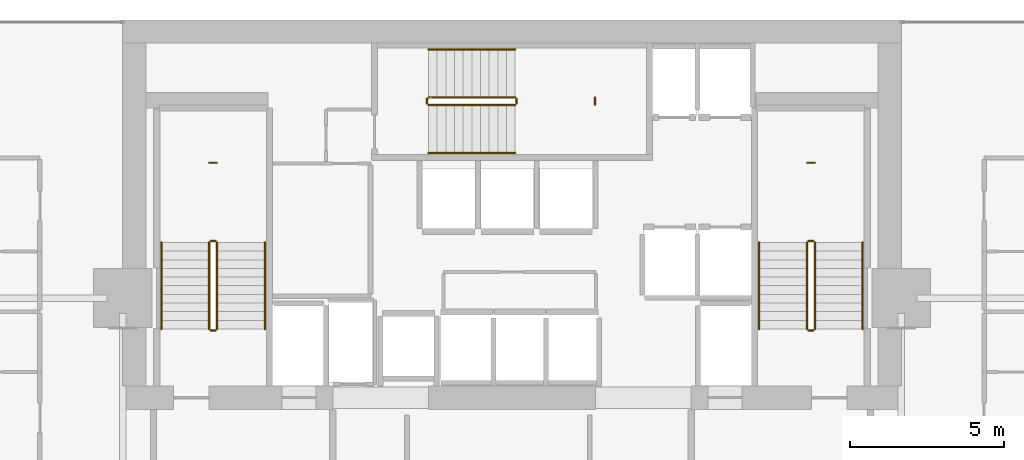
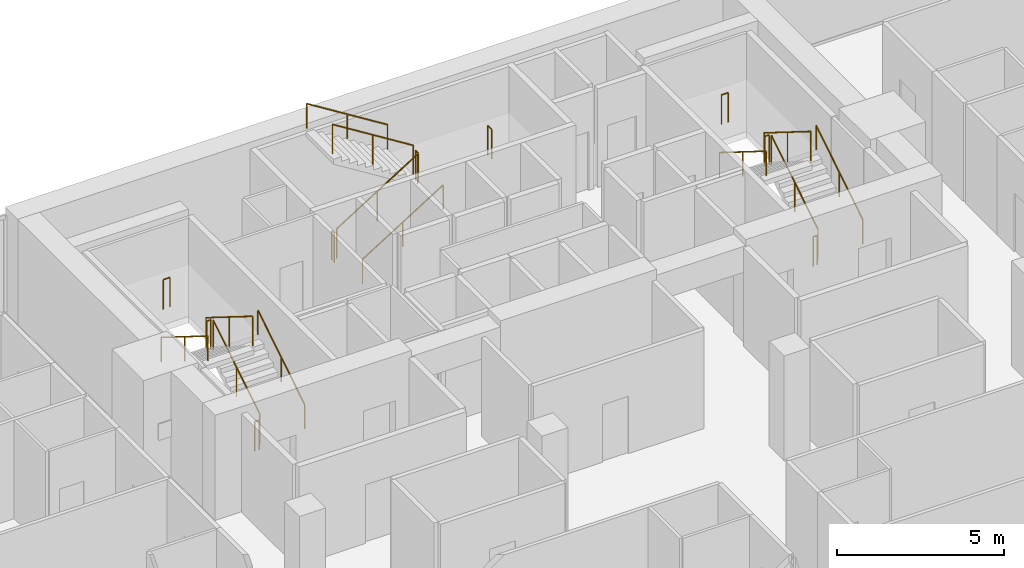
# One storey, part 34 of 34: 21 railings.
"""IFC4 building model written with IfcOpenShell, lengths in metres."""

import ifcopenshell
import ifcopenshell.guid

model = None  # the IFC model being written
_history = None  # IfcOwnerHistory: only IFC2X3 demands one
_inside = {}  # id of a spatial element -> (the spatial element, [elements in it])
_under = {}  # id of a project, library or spatial element -> (it, [spatial elements below it])
_declared = {}  # id of a project -> (the project, [libraries it declares])
_typed = {}  # id of a type object -> (the type object, [elements of that type])
_made_of = {}  # id of a material, layer set ... -> (it, [elements and type objects made of it])


def new_model(schema):
    """Start an empty IFC model of exactly this schema.

    Asked for "IFC4X3", IfcOpenShell would pick the latest addendum, in which some entities
    have other attributes; the version numbers below select the first issue.
    IFC2X3 requires an IfcOwnerHistory on every rooted entity: one is made here for all.
    """
    global model, _history
    if schema == "IFC4X3":
        model = ifcopenshell.file(schema_version=(4, 3, 0, 0))
    else:
        model = ifcopenshell.file(schema=schema)
    _inside.clear()
    _under.clear()
    _declared.clear()
    _typed.clear()
    _made_of.clear()
    _history = None
    if model.schema == "IFC2X3":
        org = make("IfcOrganization", Name="unknown")
        user = make(
            "IfcPersonAndOrganization",
            ThePerson=make("IfcPerson", FamilyName="unknown"),
            TheOrganization=org,
        )
        app = make(
            "IfcApplication",
            ApplicationDeveloper=org,
            Version="unknown",
            ApplicationFullName="unknown",
            ApplicationIdentifier="unknown",
        )
        _history = make(
            "IfcOwnerHistory",
            OwningUser=user,
            OwningApplication=app,
            ChangeAction="ADDED",
            CreationDate=0,
        )
    return model


def make(cls, **values):
    """One entity of the class cls with the attributes given. An attribute that is None is left unset."""
    return model.create_entity(
        cls, **{name: value for name, value in values.items() if value is not None}
    )


def rooted(cls, **values):
    """An entity with a GlobalId (a new one), such as an element, a storey or a relation."""
    return make(cls, GlobalId=ifcopenshell.guid.new(), OwnerHistory=_history, **values)


def si_unit(unit_type, name, prefix=None):
    """IfcSIUnit, for example si_unit("LENGTHUNIT", "METRE", prefix="MILLI")."""
    return make("IfcSIUnit", UnitType=unit_type, Prefix=prefix, Name=name)


def assignment(units):
    """IfcUnitAssignment: the units of a project."""
    return None if units is None else make("IfcUnitAssignment", Units=units)


def point(xyz):
    """IfcCartesianPoint."""
    return None if xyz is None else make("IfcCartesianPoint", Coordinates=xyz)


def direction(xyz):
    """IfcDirection."""
    return None if xyz is None else make("IfcDirection", DirectionRatios=xyz)


def frame(location, z_axis=None, x_axis=None):
    """IfcAxis2Placement3D, a coordinate frame: its origin and axes. An axis left out is left unset."""
    return make(
        "IfcAxis2Placement3D",
        Location=point(location),
        Axis=direction(z_axis),
        RefDirection=direction(x_axis),
    )


def frame_2d(location, x_axis=None):
    """IfcAxis2Placement2D, a coordinate frame in the plane: its origin and x axis."""
    return make(
        "IfcAxis2Placement2D", Location=point(location), RefDirection=direction(x_axis)
    )


def origin():
    """The frame at (0, 0, 0) with its axes left unset."""
    return frame((0.0, 0.0, 0.0))


def origin_2d():
    """The frame at (0, 0) in the plane with its x axis left unset."""
    return frame_2d((0.0, 0.0))


def place(relative_to, where):
    """IfcLocalPlacement: puts the frame where relative to a parent placement (None: the world)."""
    return make(
        "IfcLocalPlacement", PlacementRelTo=relative_to, RelativePlacement=where
    )


def context(
    kind, dimensions, precision=None, world=None, true_north=None, identifier=None
):
    """IfcGeometricRepresentationContext, for example the 3D "Model" context."""
    return make(
        "IfcGeometricRepresentationContext",
        ContextIdentifier=identifier,
        ContextType=kind,
        CoordinateSpaceDimension=dimensions,
        Precision=precision,
        WorldCoordinateSystem=world,
        TrueNorth=true_north,
    )


def subcontext(parent, identifier, kind, view, scale=None):
    """IfcGeometricRepresentationSubContext, for example "Body" below "Model"."""
    return make(
        "IfcGeometricRepresentationSubContext",
        ContextIdentifier=identifier,
        ContextType=kind,
        ParentContext=parent,
        TargetScale=scale,
        TargetView=view,
    )


def project(units=None, contexts=None):
    """IfcProject with its units and contexts."""
    return rooted(
        "IfcProject",
        Name="project",
        RepresentationContexts=contexts,
        UnitsInContext=assignment(units),
    )


def spatial(cls, under=None, at=None, **own):
    """A site, building, storey or space (cls), placed at a placement, below another one or the project."""
    s = rooted(cls, ObjectPlacement=at, **own)
    if under is not None:
        _under.setdefault(under.id(), (under, []))[1].append(s)
    return s


def profile(cls, at=None, kind="AREA", **sizes):
    """A parametric profile (cls). Its sizes go by their IFC names, for example OverallWidth=200.0."""
    return make(cls, ProfileType=kind, Position=at, **sizes)


def circle(**sizes):
    """IfcCircleProfileDef."""
    return profile("IfcCircleProfileDef", **sizes)


def extrude(swept, where, along, depth):
    """IfcExtrudedAreaSolid: the profile swept, set in the frame where, extruded along a direction by depth."""
    return make(
        "IfcExtrudedAreaSolid",
        SweptArea=swept,
        Position=where,
        ExtrudedDirection=direction(along),
        Depth=depth,
    )


def shape(context_of_items, identifier, shape_type, items):
    """IfcShapeRepresentation: the items that make up one representation, for example the "Body"."""
    return make(
        "IfcShapeRepresentation",
        ContextOfItems=context_of_items,
        RepresentationIdentifier=identifier,
        RepresentationType=shape_type,
        Items=items,
    )


def material(Name=None, Category=None):
    """IfcMaterial."""
    return make("IfcMaterial", Name=Name, Category=Category)


def made_of(thing, what):
    """Note that an element or type object is made of a material, layer set ...; save() writes the relation."""
    if what is not None:
        _made_of.setdefault(what.id(), (what, []))[1].append(thing)
    return thing


def type_object(cls, material=None, **own):
    """A type object (cls), such as IfcWallType, which elements share."""
    return made_of(rooted(cls, **own), material)


def element(
    cls,
    number,
    at=None,
    inside=None,
    cuts=None,
    type_object=None,
    material=None,
    context=None,
    identifier="Body",
    shape_type=None,
    held_by="IfcProductDefinitionShape",
    body=None,
    shapes=None,
    **own,
):
    """One element of the class cls, such as IfcWall. Its Tag is "e" and its number.

    at: its placement. inside: the storey or other place that contains it. cuts: it is an
    opening in that element (IfcRelVoidsElement). A single representation is given by context,
    identifier, shape_type and body (its items); several are given by shapes. held_by: the class
    of the entity that holds the representations. save() writes the other relations.
    """
    e = rooted(cls, Tag="e%d" % number, ObjectPlacement=at, **own)
    if body is not None:
        shapes = [shape(context, identifier, shape_type, body)]
    if shapes is not None:
        e.Representation = make(held_by, Representations=shapes)
    if inside is not None:
        _inside.setdefault(inside.id(), (inside, []))[1].append(e)
    if cuts is not None:
        rooted(
            "IfcRelVoidsElement", RelatingBuildingElement=cuts, RelatedOpeningElement=e
        )
    if type_object is not None:
        _typed.setdefault(type_object.id(), (type_object, []))[1].append(e)
    return made_of(e, material)


def aggregate(whole, parts):
    """IfcRelAggregates: a whole, such as a stair, and the parts it consists of."""
    return rooted("IfcRelAggregates", RelatingObject=whole, RelatedObjects=parts)


def save(model, path):
    """Write the relations noted so far, then the file.

    IfcRelAggregates (storeys below a building ...), IfcRelContainedInSpatialStructure (elements
    in a storey), IfcRelDefinesByType, IfcRelAssociatesMaterial and IfcRelDeclares: one each for
    every whole, place, type object, material and project.
    """
    for whole, parts in _under.values():
        aggregate(whole, parts)
    for where, things in _inside.values():
        rooted(
            "IfcRelContainedInSpatialStructure",
            RelatedElements=things,
            RelatingStructure=where,
        )
    for kind, things in _typed.values():
        rooted("IfcRelDefinesByType", RelatedObjects=things, RelatingType=kind)
    for what, things in _made_of.values():
        rooted("IfcRelAssociatesMaterial", RelatedObjects=things, RelatingMaterial=what)
    for by, libraries in _declared.values():
        rooted("IfcRelDeclares", RelatingContext=by, RelatedDefinitions=libraries)
    model.write(path)


model = new_model("IFC4")

# Units and contexts
model_context = context("Model", 3, precision=1e-05, world=origin(), true_north=direction((0.0, 1.0)))
body_context = subcontext(model_context, "Body", "Model", "MODEL_VIEW")
ifc_project = project(units=[si_unit("LENGTHUNIT", "METRE"), si_unit("AREAUNIT", "SQUARE_METRE"), si_unit("VOLUMEUNIT", "CUBIC_METRE"), si_unit("PLANEANGLEUNIT", "RADIAN"), si_unit("MASSUNIT", "GRAM", prefix="KILO")], contexts=[model_context])

# Site, building, storey
site_placement = place(None, origin())
site = spatial("IfcSite", under=ifc_project, at=site_placement, CompositionType="ELEMENT")
building_placement = place(site_placement, origin())
building = spatial("IfcBuilding", under=site, at=building_placement, Name="Maruvema Waterfront Hotel and Observation Tower", CompositionType="ELEMENT")
storey_placement = place(building_placement, frame((0.0, 0.0, 208.25)))
storey = spatial("IfcBuildingStorey", under=building, at=storey_placement, Name="L51", CompositionType="ELEMENT", Elevation=208.25)

# Railings
ifc_material_1 = material(Name="Brushed stainless steel Grade 316", Category="steel")
railing_type_1 = type_object("IfcRailingType", Name="Ramp Continuous Wall Handrail 920 mm", PredefinedType="HANDRAIL", material=ifc_material_1)
railing_1_placement = place(storey_placement, frame((29.800048828125, 44.0, 0.175048828125)))
element("IfcRailing", 1, at=railing_1_placement, inside=storey, type_object=railing_type_1, Name="L51 ST-01 stair handrail 1", PredefinedType="HANDRAIL", context=body_context, shape_type="SweptSolid", body=[
    extrude(circle(Radius=0.02392578125, at=origin_2d()), frame((0.0, 0.0, 0.89599609375), z_axis=(0.0, 0.848002457836, 0.529992293815), x_axis=(-1.0, 0.0, 0.0)), (0.0, 0.0, 1.0), 3.302001953125),
    extrude(circle(Radius=0.02099609375, at=origin_2d()), origin(), (0.0, 0.0, 1.0), 0.871826171875),
    extrude(circle(Radius=0.02099609375, at=origin_2d()), frame((0.0, 1.39990234375, 0.875)), (0.0, 0.0, 1.0), 0.871826171875),
    extrude(circle(Radius=0.02099609375, at=origin_2d()), frame((0.0, 2.800048828125, 1.75)), (0.0, 0.0, 1.0), 0.871826171875),
])
railing_2_placement = place(storey_placement, frame((26.449951171875, 46.800048828125, 2.10009765625)))
element("IfcRailing", 2, at=railing_2_placement, inside=storey, type_object=railing_type_1, Name="L51 ST-01 stair handrail 2", PredefinedType="HANDRAIL", context=body_context, shape_type="SweptSolid", body=[
    extrude(circle(Radius=0.02392578125, at=origin_2d()), frame((0.0, 0.0, 0.89599609375), z_axis=(0.0, -0.848002457836, 0.529992293815), x_axis=(1.0, 0.0, 0.0)), (0.0, 0.0, 1.0), 3.302001953125),
    extrude(circle(Radius=0.02099609375, at=origin_2d()), origin(), (0.0, 0.0, 1.0), 0.871826171875),
    extrude(circle(Radius=0.02099609375, at=origin_2d()), frame((0.0, -1.39990234375, 0.875)), (0.0, 0.0, 1.0), 0.871826171875),
    extrude(circle(Radius=0.02099609375, at=origin_2d()), frame((0.0, -2.800048828125, 1.75)), (0.0, 0.0, 1.0), 0.871826171875),
])
railing_3_placement = place(storey_placement, frame((35.10009765625, 49.699951171875, 0.175048828125)))
element("IfcRailing", 3, at=railing_3_placement, inside=storey, type_object=railing_type_1, Name="L51 ST-02 stair handrail 1", PredefinedType="HANDRAIL", context=body_context, shape_type="SweptSolid", body=[
    extrude(circle(Radius=0.02392578125, at=origin_2d()), frame((0.0, 0.0, 0.89599609375), z_axis=(0.847981687118, 0.0, 0.530025526095), x_axis=(0.0, 1.0, 0.0)), (0.0, 0.0, 1.0), 3.3017578125),
    extrude(circle(Radius=0.02099609375, at=origin_2d()), origin(), (0.0, 0.0, 1.0), 0.871826171875),
    extrude(circle(Radius=0.02099609375, at=origin_2d()), frame((1.39990234375, 0.0, 0.875)), (0.0, 0.0, 1.0), 0.871826171875),
    extrude(circle(Radius=0.02099609375, at=origin_2d()), frame((2.7998046875, 0.0, 1.75)), (0.0, 0.0, 1.0), 0.871826171875),
])
railing_4_placement = place(storey_placement, frame((37.89990234375, 53.050048828125, 2.10009765625)))
element("IfcRailing", 4, at=railing_4_placement, inside=storey, type_object=railing_type_1, Name="L51 ST-02 stair handrail 2", PredefinedType="HANDRAIL", context=body_context, shape_type="SweptSolid", body=[
    extrude(circle(Radius=0.02392578125, at=origin_2d()), frame((0.0, 0.0, 0.89599609375), z_axis=(-0.847981687118, 0.0, 0.530025526095), x_axis=(0.0, -1.0, 0.0)), (0.0, 0.0, 1.0), 3.3017578125),
    extrude(circle(Radius=0.02099609375, at=origin_2d()), origin(), (0.0, 0.0, 1.0), 0.871826171875),
    extrude(circle(Radius=0.02099609375, at=origin_2d()), frame((-1.39990234375, 0.0, 0.875)), (0.0, 0.0, 1.0), 0.871826171875),
    extrude(circle(Radius=0.02099609375, at=origin_2d()), frame((-2.7998046875, 0.0, 1.75)), (0.0, 0.0, 1.0), 0.871826171875),
])
railing_5_placement = place(storey_placement, frame((49.14990234375, 44.0, 0.175048828125)))
element("IfcRailing", 5, at=railing_5_placement, inside=storey, type_object=railing_type_1, Name="L51 ST-03 stair handrail 1", PredefinedType="HANDRAIL", context=body_context, shape_type="SweptSolid", body=[
    extrude(circle(Radius=0.02392578125, at=origin_2d()), frame((0.0, 0.0, 0.89599609375), z_axis=(0.0, 0.848002457836, 0.529992293815), x_axis=(-1.0, 0.0, 0.0)), (0.0, 0.0, 1.0), 3.302001953125),
    extrude(circle(Radius=0.02099609375, at=origin_2d()), origin(), (0.0, 0.0, 1.0), 0.871826171875),
    extrude(circle(Radius=0.02099609375, at=origin_2d()), frame((0.0, 1.39990234375, 0.875)), (0.0, 0.0, 1.0), 0.871826171875),
    extrude(circle(Radius=0.02099609375, at=origin_2d()), frame((0.0, 2.800048828125, 1.75)), (0.0, 0.0, 1.0), 0.871826171875),
])
railing_6_placement = place(storey_placement, frame((45.800048828125, 46.800048828125, 2.10009765625)))
element("IfcRailing", 6, at=railing_6_placement, inside=storey, type_object=railing_type_1, Name="L51 ST-03 stair handrail 2", PredefinedType="HANDRAIL", context=body_context, shape_type="SweptSolid", body=[
    extrude(circle(Radius=0.02392578125, at=origin_2d()), frame((0.0, 0.0, 0.89599609375), z_axis=(0.0, -0.848002457836, 0.529992293815), x_axis=(1.0, 0.0, 0.0)), (0.0, 0.0, 1.0), 3.302001953125),
    extrude(circle(Radius=0.02099609375, at=origin_2d()), origin(), (0.0, 0.0, 1.0), 0.871826171875),
    extrude(circle(Radius=0.02099609375, at=origin_2d()), frame((0.0, -1.39990234375, 0.875)), (0.0, 0.0, 1.0), 0.871826171875),
    extrude(circle(Radius=0.02099609375, at=origin_2d()), frame((0.0, -2.800048828125, 1.75)), (0.0, 0.0, 1.0), 0.871826171875),
])
ifc_material_2 = material(Name="Brushed stainless steel Grade 316", Category="steel")
railing_type_2 = type_object("IfcRailingType", Name="Ramp and Terrace Guard Balustrade 1100 mm", PredefinedType="BALUSTRADE", material=ifc_material_2)
railing_7_placement = place(storey_placement, frame((28.25, 44.0, 0.175048828125)))
element("IfcRailing", 7, at=railing_7_placement, inside=storey, type_object=railing_type_2, Name="L51 ST-01 stair guard 1", PredefinedType="BALUSTRADE", context=body_context, shape_type="SweptSolid", body=[
    extrude(circle(Radius=0.02392578125, at=origin_2d()), frame((0.0, 0.0, 1.076171875), z_axis=(0.0, 0.848002457836, 0.529992293815), x_axis=(-1.0, 0.0, 0.0)), (0.0, 0.0, 1.0), 3.302001953125),
    extrude(circle(Radius=0.02099609375, at=origin_2d()), origin(), (0.0, 0.0, 1.0), 1.052001953125),
    extrude(circle(Radius=0.02099609375, at=origin_2d()), frame((0.0, 1.39990234375, 0.875)), (0.0, 0.0, 1.0), 1.052001953125),
    extrude(circle(Radius=0.02099609375, at=origin_2d()), frame((0.0, 2.800048828125, 1.75)), (0.0, 0.0, 1.0), 1.052001953125),
])
railing_8_placement = place(storey_placement, frame((28.199951171875, 46.85009765625, 1.925048828125)))
element("IfcRailing", 8, at=railing_8_placement, inside=storey, type_object=railing_type_2, Name="L51 ST-01 stair guard 2", PredefinedType="BALUSTRADE", context=body_context, shape_type="SweptSolid", body=[
    extrude(circle(Radius=0.02392578125, at=origin_2d()), frame((0.0, 0.0, 1.076171875), z_axis=(-1.0, 0.0, 0.0), x_axis=(0.0, -1.0, 0.0)), (0.0, 0.0, 1.0), 0.14990234375),
    extrude(circle(Radius=0.02099609375, at=origin_2d()), origin(), (0.0, 0.0, 1.0), 1.052001953125),
    extrude(circle(Radius=0.02099609375, at=origin_2d()), frame((-0.14990234375, 0.0, 0.0)), (0.0, 0.0, 1.0), 1.052001953125),
])
railing_9_placement = place(storey_placement, frame((28.0, 46.800048828125, 2.10009765625)))
element("IfcRailing", 9, at=railing_9_placement, inside=storey, type_object=railing_type_2, Name="L51 ST-01 stair guard 3", PredefinedType="BALUSTRADE", context=body_context, shape_type="SweptSolid", body=[
    extrude(circle(Radius=0.02392578125, at=origin_2d()), frame((0.0, 0.0, 1.076171875), z_axis=(0.0, -0.848002457836, 0.529992293815), x_axis=(1.0, 0.0, 0.0)), (0.0, 0.0, 1.0), 3.302001953125),
    extrude(circle(Radius=0.02099609375, at=origin_2d()), origin(), (0.0, 0.0, 1.0), 1.052001953125),
    extrude(circle(Radius=0.02099609375, at=origin_2d()), frame((0.0, -1.39990234375, 0.875)), (0.0, 0.0, 1.0), 1.052001953125),
    extrude(circle(Radius=0.02099609375, at=origin_2d()), frame((0.0, -2.800048828125, 1.75)), (0.0, 0.0, 1.0), 1.052001953125),
])
railing_10_placement = place(storey_placement, frame((28.199951171875, 43.949951171875, 0.0)))
element("IfcRailing", 10, at=railing_10_placement, inside=storey, type_object=railing_type_2, Name="L51 ST-01 stair guard 4", PredefinedType="BALUSTRADE", context=body_context, shape_type="SweptSolid", body=[
    extrude(circle(Radius=0.02392578125, at=origin_2d()), frame((0.0, 0.0, 1.076171875), z_axis=(-1.0, 0.0, 0.0), x_axis=(0.0, -1.0, 0.0)), (0.0, 0.0, 1.0), 0.14990234375),
    extrude(circle(Radius=0.02099609375, at=origin_2d()), origin(), (0.0, 0.0, 1.0), 1.052001953125),
    extrude(circle(Radius=0.02099609375, at=origin_2d()), frame((-0.14990234375, 0.0, 0.0)), (0.0, 0.0, 1.0), 1.052001953125),
])
railing_11_placement = place(storey_placement, frame((28.239990234375, 49.3798828125, 1.925048828125)))
element("IfcRailing", 11, at=railing_11_placement, inside=storey, type_object=railing_type_2, Name="L51 ST-01 Half-Landing Slot Guard", PredefinedType="BALUSTRADE", context=body_context, shape_type="SweptSolid", body=[
    extrude(circle(Radius=0.02392578125, at=origin_2d()), frame((0.0, 0.0, 1.076171875), z_axis=(-1.0, 0.0, 0.0), x_axis=(0.0, -1.0, 0.0)), (0.0, 0.0, 1.0), 0.22998046875),
    extrude(circle(Radius=0.02099609375, at=origin_2d()), origin(), (0.0, 0.0, 1.0), 1.052001953125),
    extrude(circle(Radius=0.02099609375, at=origin_2d()), frame((-0.22998046875, 0.0, 0.0)), (0.0, 0.0, 1.0), 1.052001953125),
])
railing_12_placement = place(storey_placement, frame((35.10009765625, 51.25, 0.175048828125)))
element("IfcRailing", 12, at=railing_12_placement, inside=storey, type_object=railing_type_2, Name="L51 ST-02 stair guard 1", PredefinedType="BALUSTRADE", context=body_context, shape_type="SweptSolid", body=[
    extrude(circle(Radius=0.02392578125, at=origin_2d()), frame((0.0, 0.0, 1.076171875), z_axis=(0.847981687118, 0.0, 0.530025526095), x_axis=(0.0, 1.0, 0.0)), (0.0, 0.0, 1.0), 3.3017578125),
    extrude(circle(Radius=0.02099609375, at=origin_2d()), origin(), (0.0, 0.0, 1.0), 1.052001953125),
    extrude(circle(Radius=0.02099609375, at=origin_2d()), frame((1.39990234375, 0.0, 0.875)), (0.0, 0.0, 1.0), 1.052001953125),
    extrude(circle(Radius=0.02099609375, at=origin_2d()), frame((2.7998046875, 0.0, 1.75)), (0.0, 0.0, 1.0), 1.052001953125),
])
railing_13_placement = place(storey_placement, frame((37.949951171875, 51.300048828125, 1.925048828125)))
element("IfcRailing", 13, at=railing_13_placement, inside=storey, type_object=railing_type_2, Name="L51 ST-02 stair guard 2", PredefinedType="BALUSTRADE", context=body_context, shape_type="SweptSolid", body=[
    extrude(circle(Radius=0.02392578125, at=origin_2d()), frame((0.0, 0.0, 1.076171875), z_axis=(0.0, 1.0, 0.0), x_axis=(-1.0, 0.0, 0.0)), (0.0, 0.0, 1.0), 0.14990234375),
    extrude(circle(Radius=0.02099609375, at=origin_2d()), origin(), (0.0, 0.0, 1.0), 1.052001953125),
    extrude(circle(Radius=0.02099609375, at=origin_2d()), frame((0.0, 0.14990234375, 0.0)), (0.0, 0.0, 1.0), 1.052001953125),
])
railing_14_placement = place(storey_placement, frame((37.89990234375, 51.5, 2.10009765625)))
element("IfcRailing", 14, at=railing_14_placement, inside=storey, type_object=railing_type_2, Name="L51 ST-02 stair guard 3", PredefinedType="BALUSTRADE", context=body_context, shape_type="SweptSolid", body=[
    extrude(circle(Radius=0.02392578125, at=origin_2d()), frame((0.0, 0.0, 1.076171875), z_axis=(-0.847981687118, 0.0, 0.530025526095), x_axis=(0.0, -1.0, 0.0)), (0.0, 0.0, 1.0), 3.3017578125),
    extrude(circle(Radius=0.02099609375, at=origin_2d()), origin(), (0.0, 0.0, 1.0), 1.052001953125),
    extrude(circle(Radius=0.02099609375, at=origin_2d()), frame((-1.39990234375, 0.0, 0.875)), (0.0, 0.0, 1.0), 1.052001953125),
    extrude(circle(Radius=0.02099609375, at=origin_2d()), frame((-2.7998046875, 0.0, 1.75)), (0.0, 0.0, 1.0), 1.052001953125),
])
railing_15_placement = place(storey_placement, frame((35.050048828125, 51.300048828125, 0.0)))
element("IfcRailing", 15, at=railing_15_placement, inside=storey, type_object=railing_type_2, Name="L51 ST-02 stair guard 4", PredefinedType="BALUSTRADE", context=body_context, shape_type="SweptSolid", body=[
    extrude(circle(Radius=0.02392578125, at=origin_2d()), frame((0.0, 0.0, 1.076171875), z_axis=(0.0, 1.0, 0.0), x_axis=(-1.0, 0.0, 0.0)), (0.0, 0.0, 1.0), 0.14990234375),
    extrude(circle(Radius=0.02099609375, at=origin_2d()), origin(), (0.0, 0.0, 1.0), 1.052001953125),
    extrude(circle(Radius=0.02099609375, at=origin_2d()), frame((0.0, 0.14990234375, 0.0)), (0.0, 0.0, 1.0), 1.052001953125),
])
railing_16_placement = place(storey_placement, frame((40.47998046875, 51.260009765625, 1.925048828125)))
element("IfcRailing", 16, at=railing_16_placement, inside=storey, type_object=railing_type_2, Name="L51 ST-02 Half-Landing Slot Guard", PredefinedType="BALUSTRADE", context=body_context, shape_type="SweptSolid", body=[
    extrude(circle(Radius=0.02392578125, at=origin_2d()), frame((0.0, 0.0, 1.076171875), z_axis=(0.0, 1.0, 0.0), x_axis=(-1.0, 0.0, 0.0)), (0.0, 0.0, 1.0), 0.22998046875),
    extrude(circle(Radius=0.02099609375, at=origin_2d()), origin(), (0.0, 0.0, 1.0), 1.052001953125),
    extrude(circle(Radius=0.02099609375, at=origin_2d()), frame((0.0, 0.22998046875, 0.0)), (0.0, 0.0, 1.0), 1.052001953125),
])
railing_17_placement = place(storey_placement, frame((47.60009765625, 44.0, 0.175048828125)))
element("IfcRailing", 17, at=railing_17_placement, inside=storey, type_object=railing_type_2, Name="L51 ST-03 stair guard 1", PredefinedType="BALUSTRADE", context=body_context, shape_type="SweptSolid", body=[
    extrude(circle(Radius=0.02392578125, at=origin_2d()), frame((0.0, 0.0, 1.076171875), z_axis=(0.0, 0.848002457836, 0.529992293815), x_axis=(-1.0, 0.0, 0.0)), (0.0, 0.0, 1.0), 3.302001953125),
    extrude(circle(Radius=0.02099609375, at=origin_2d()), origin(), (0.0, 0.0, 1.0), 1.052001953125),
    extrude(circle(Radius=0.02099609375, at=origin_2d()), frame((0.0, 1.39990234375, 0.875)), (0.0, 0.0, 1.0), 1.052001953125),
    extrude(circle(Radius=0.02099609375, at=origin_2d()), frame((0.0, 2.800048828125, 1.75)), (0.0, 0.0, 1.0), 1.052001953125),
])
railing_18_placement = place(storey_placement, frame((47.550048828125, 46.85009765625, 1.925048828125)))
element("IfcRailing", 18, at=railing_18_placement, inside=storey, type_object=railing_type_2, Name="L51 ST-03 stair guard 2", PredefinedType="BALUSTRADE", context=body_context, shape_type="SweptSolid", body=[
    extrude(circle(Radius=0.02392578125, at=origin_2d()), frame((0.0, 0.0, 1.076171875), z_axis=(-1.0, 0.0, 0.0), x_axis=(0.0, -1.0, 0.0)), (0.0, 0.0, 1.0), 0.150146484375),
    extrude(circle(Radius=0.02099609375, at=origin_2d()), origin(), (0.0, 0.0, 1.0), 1.052001953125),
    extrude(circle(Radius=0.02099609375, at=origin_2d()), frame((-0.150146484375, 0.0, 0.0)), (0.0, 0.0, 1.0), 1.052001953125),
])
railing_19_placement = place(storey_placement, frame((47.35009765625, 46.800048828125, 2.10009765625)))
element("IfcRailing", 19, at=railing_19_placement, inside=storey, type_object=railing_type_2, Name="L51 ST-03 stair guard 3", PredefinedType="BALUSTRADE", context=body_context, shape_type="SweptSolid", body=[
    extrude(circle(Radius=0.02392578125, at=origin_2d()), frame((0.0, 0.0, 1.076171875), z_axis=(0.0, -0.848002457836, 0.529992293815), x_axis=(1.0, 0.0, 0.0)), (0.0, 0.0, 1.0), 3.302001953125),
    extrude(circle(Radius=0.02099609375, at=origin_2d()), origin(), (0.0, 0.0, 1.0), 1.052001953125),
    extrude(circle(Radius=0.02099609375, at=origin_2d()), frame((0.0, -1.39990234375, 0.875)), (0.0, 0.0, 1.0), 1.052001953125),
    extrude(circle(Radius=0.02099609375, at=origin_2d()), frame((0.0, -2.800048828125, 1.75)), (0.0, 0.0, 1.0), 1.052001953125),
])
railing_20_placement = place(storey_placement, frame((47.550048828125, 43.949951171875, 0.0)))
element("IfcRailing", 20, at=railing_20_placement, inside=storey, type_object=railing_type_2, Name="L51 ST-03 stair guard 4", PredefinedType="BALUSTRADE", context=body_context, shape_type="SweptSolid", body=[
    extrude(circle(Radius=0.02392578125, at=origin_2d()), frame((0.0, 0.0, 1.076171875), z_axis=(-1.0, 0.0, 0.0), x_axis=(0.0, -1.0, 0.0)), (0.0, 0.0, 1.0), 0.150146484375),
    extrude(circle(Radius=0.02099609375, at=origin_2d()), origin(), (0.0, 0.0, 1.0), 1.052001953125),
    extrude(circle(Radius=0.02099609375, at=origin_2d()), frame((-0.150146484375, 0.0, 0.0)), (0.0, 0.0, 1.0), 1.052001953125),
])
railing_21_placement = place(storey_placement, frame((47.590087890625, 49.3798828125, 1.925048828125)))
element("IfcRailing", 21, at=railing_21_placement, inside=storey, type_object=railing_type_2, Name="L51 ST-03 Half-Landing Slot Guard", PredefinedType="BALUSTRADE", context=body_context, shape_type="SweptSolid", body=[
    extrude(circle(Radius=0.02392578125, at=origin_2d()), frame((0.0, 0.0, 1.076171875), z_axis=(-1.0, 0.0, 0.0), x_axis=(0.0, -1.0, 0.0)), (0.0, 0.0, 1.0), 0.22998046875),
    extrude(circle(Radius=0.02099609375, at=origin_2d()), origin(), (0.0, 0.0, 1.0), 1.052001953125),
    extrude(circle(Radius=0.02099609375, at=origin_2d()), frame((-0.22998046875, 0.0, 0.0)), (0.0, 0.0, 1.0), 1.052001953125),
])

save(model, "model.ifc")
